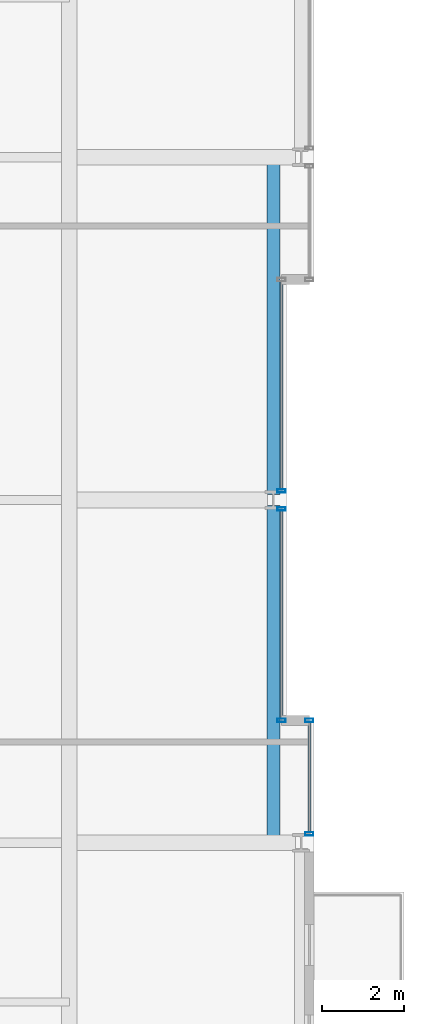
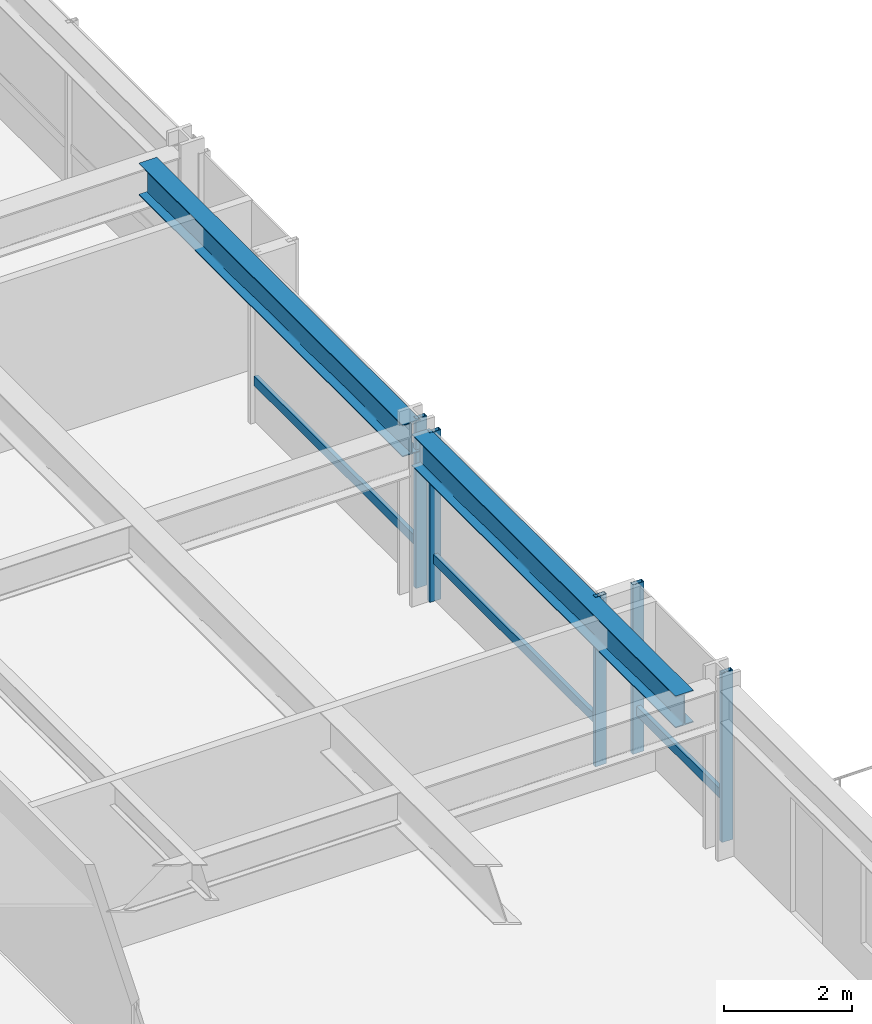
# One storey, part 15 of 34: 8 members, 2 beams, 3 elements without a shape of their own.
"""IFC4 building model written with IfcOpenShell, lengths in metres."""

from ifc_helpers import new_model, si_unit, direction, frame, origin, origin_2d, place, context, subcontext, project, spatial, hollow_rectangle, i_section, extrude, material, layer, layer_set, material_profile, profile_set, type_object, element, aggregate, save


model = new_model("IFC4")

# Units and contexts
model_context = context("Model", 3, precision=1e-05, world=origin(), true_north=direction((0.0, 1.0)))
body_context = subcontext(model_context, "Body", "Model", "MODEL_VIEW")
ifc_project = project(units=[si_unit("LENGTHUNIT", "METRE"), si_unit("AREAUNIT", "SQUARE_METRE"), si_unit("VOLUMEUNIT", "CUBIC_METRE"), si_unit("PLANEANGLEUNIT", "RADIAN"), si_unit("MASSUNIT", "GRAM", prefix="KILO")], contexts=[model_context])

# Site, building, storey
site_placement = place(None, origin())
site = spatial("IfcSite", under=ifc_project, at=site_placement, CompositionType="ELEMENT")
building_placement = place(site_placement, origin())
building = spatial("IfcBuilding", under=site, at=building_placement, Name="Drelvath Grand Hotel", CompositionType="ELEMENT")
storey_placement = place(building_placement, frame((0.0, 0.0, 112.800048828125)))
storey = spatial("IfcBuildingStorey", under=building, at=storey_placement, Name="L28", CompositionType="ELEMENT", Elevation=112.800048828125)

# Curtain wall, member
ifc_material_1 = material(Name="Champagne Bronze Anodised Aluminium Frame", Category="aluminium")
ifc_layer = layer(ifc_material_1, 0.199951171875)
ifc_layer_set = layer_set([ifc_layer], Name="Champagne Bronze Anodised Aluminium Frame")
curtain_wall_type = type_object("IfcCurtainWallType", Name="Stick Curtain Wall CW-03 Champagne Bronze Mid-Rise", PredefinedType="NOTDEFINED", material=ifc_layer_set)
curtain_wall_1_placement = place(storey_placement, origin())
curtain_wall_1 = element("IfcCurtainWall", 1, at=curtain_wall_1_placement, inside=storey, type_object=curtain_wall_type, Name="L28 CW-03 Curtain Wall CW03-L28-EM1", PredefinedType="NOTDEFINED")
ifc_material_profile_1 = material_profile(ifc_material_1, hollow_rectangle(XDim=0.074951171875, YDim=0.179931640625, WallThickness=0.0048828125, at=origin_2d()), Name="HSS180X75X5")
ifc_profile_set_1 = profile_set([ifc_material_profile_1], Name="Champagne Bronze Anodised Aluminium Frame")
member_type_1 = type_object("IfcMemberType", Name="Curtain Wall Horizontal Transom CW-03 HSS180X75X5", PredefinedType="USERDEFINED", material=ifc_profile_set_1)
member_1_placement = place(storey_placement, frame((21.39990234375, 26.740478515625, 0.81005859375), z_axis=(0.0, -1.0, 0.0), x_axis=(1.0, 0.0, 0.0)))
member_1 = element("IfcMember", 2, at=member_1_placement, type_object=member_type_1, Name="CW03-L28-EM1 Sill Transom", ObjectType="TRANSOM", PredefinedType="USERDEFINED", context=body_context, shape_type="SweptSolid", body=[
    extrude(hollow_rectangle(XDim=0.074951171875, YDim=0.179931640625, WallThickness=0.0048828125, at=origin_2d()), origin(), (0.0, 0.0, 1.0), 5.1005859375),
])

curtain_wall_2_placement = place(storey_placement, origin())
curtain_wall_2 = element("IfcCurtainWall", 3, at=curtain_wall_2_placement, inside=storey, type_object=curtain_wall_type, Name="L28 CW-03 Curtain Wall CW03-L28-EM2", PredefinedType="NOTDEFINED")
member_2_placement = place(storey_placement, frame((21.39990234375, 32.360107421875, 0.81005859375), z_axis=(0.0, -1.0, 0.0), x_axis=(1.0, 0.0, 0.0)))
member_2 = element("IfcMember", 4, at=member_2_placement, type_object=member_type_1, Name="CW03-L28-EM2 Sill Transom", ObjectType="TRANSOM", PredefinedType="USERDEFINED", context=body_context, shape_type="SweptSolid", body=[
    extrude(hollow_rectangle(XDim=0.074951171875, YDim=0.179931640625, WallThickness=0.0048828125, at=origin_2d()), origin(), (0.0, 0.0, 1.0), 5.1005859375),
])

curtain_wall_3_placement = place(storey_placement, origin())
curtain_wall_3 = element("IfcCurtainWall", 5, at=curtain_wall_3_placement, inside=storey, type_object=curtain_wall_type, Name="L28 CW-03 Curtain Wall CW03-L28-ES3", PredefinedType="NOTDEFINED")
member_3_placement = place(storey_placement, frame((22.080078125, 21.56005859375, 0.81005859375), z_axis=(0.0, -1.0, 0.0), x_axis=(1.0, 0.0, 0.0)))
member_3 = element("IfcMember", 6, at=member_3_placement, type_object=member_type_1, Name="CW03-L28-ES3 Sill Transom", ObjectType="TRANSOM", PredefinedType="USERDEFINED", context=body_context, shape_type="SweptSolid", body=[
    extrude(hollow_rectangle(XDim=0.074951171875, YDim=0.179931640625, WallThickness=0.0048828125, at=origin_2d()), origin(), (0.0, 0.0, 1.0), 2.700439453125),
])

# Member
ifc_material_profile_2 = material_profile(ifc_material_1, hollow_rectangle(XDim=0.080078125, YDim=0.199951171875, WallThickness=0.0048828125, at=origin_2d()), Name="HSS200X80X5")
ifc_profile_set_2 = profile_set([ifc_material_profile_2], Name="Champagne Bronze Anodised Aluminium Frame")
member_type_2 = type_object("IfcMemberType", Name="Curtain Wall Vertical Mullion CW-03 HSS200X80X5", PredefinedType="MULLION", material=ifc_profile_set_2)
member_4_placement = place(storey_placement, frame((21.39990234375, 26.780517578125, 0.0), z_axis=(0.0, 0.0, 1.0), x_axis=(0.0, 1.0, 0.0)))
member_4 = element("IfcMember", 7, at=member_4_placement, type_object=member_type_2, Name="CW03-L28-EM1 Mullion 1", PredefinedType="MULLION", context=body_context, shape_type="SweptSolid", body=[
    extrude(hollow_rectangle(XDim=0.080078125, YDim=0.199951171875, WallThickness=0.0048828125, at=origin_2d()), origin(), (0.0, 0.0, 1.0), 3.239990234375),
])

member_5_placement = place(storey_placement, frame((21.39990234375, 21.60009765625, 0.0), z_axis=(0.0, 0.0, 1.0), x_axis=(0.0, 1.0, 0.0)))
member_5 = element("IfcMember", 8, at=member_5_placement, type_object=member_type_2, Name="CW03-L28-EM1 Mullion 2", PredefinedType="MULLION", context=body_context, shape_type="SweptSolid", body=[
    extrude(hollow_rectangle(XDim=0.080078125, YDim=0.199951171875, WallThickness=0.0048828125, at=origin_2d()), origin(), (0.0, 0.0, 1.0), 3.239990234375),
])

aggregate(curtain_wall_1, [member_4, member_5, member_1])

member_6_placement = place(storey_placement, frame((21.39990234375, 27.219482421875, 0.0), z_axis=(0.0, 0.0, 1.0), x_axis=(0.0, 1.0, 0.0)))
member_6 = element("IfcMember", 9, at=member_6_placement, type_object=member_type_2, Name="CW03-L28-EM2 Mullion 2", PredefinedType="MULLION", context=body_context, shape_type="SweptSolid", body=[
    extrude(hollow_rectangle(XDim=0.080078125, YDim=0.199951171875, WallThickness=0.0048828125, at=origin_2d()), origin(), (0.0, 0.0, 1.0), 3.239990234375),
])

aggregate(curtain_wall_2, [member_6, member_2])

member_7_placement = place(storey_placement, frame((22.080078125, 21.60009765625, 0.0), z_axis=(0.0, 0.0, 1.0), x_axis=(0.0, 1.0, 0.0)))
member_7 = element("IfcMember", 10, at=member_7_placement, type_object=member_type_2, Name="CW03-L28-ES3 Mullion 1", PredefinedType="MULLION", context=body_context, shape_type="SweptSolid", body=[
    extrude(hollow_rectangle(XDim=0.080078125, YDim=0.199951171875, WallThickness=0.0048828125, at=origin_2d()), origin(), (0.0, 0.0, 1.0), 3.239990234375),
])

member_8_placement = place(storey_placement, frame((22.080078125, 18.819580078125, 0.0), z_axis=(0.0, 0.0, 1.0), x_axis=(0.0, 1.0, 0.0)))
member_8 = element("IfcMember", 11, at=member_8_placement, type_object=member_type_2, Name="CW03-L28-ES3 Mullion 2", PredefinedType="MULLION", context=body_context, shape_type="SweptSolid", body=[
    extrude(hollow_rectangle(XDim=0.080078125, YDim=0.199951171875, WallThickness=0.0048828125, at=origin_2d()), origin(), (0.0, 0.0, 1.0), 3.239990234375),
])

aggregate(curtain_wall_3, [member_7, member_8, member_3])

# Beams
ifc_material_2 = material(Name="Steel ASTM A992 Gr 50", Category="steel")
ifc_material_profile_3 = material_profile(ifc_material_2, i_section(OverallWidth=0.323974609375, OverallDepth=0.611083984375, WebThickness=0.0126953125, FlangeThickness=0.01904296875, FilletRadius=0.02197265625, at=origin_2d()), Name="W24X104")
ifc_profile_set_3 = profile_set([ifc_material_profile_3], Name="Steel ASTM A992 Gr 50")
beam_type = type_object("IfcBeamType", Name="Perimeter Spandrel Beam W24X104", PredefinedType="SPANDREL", material=ifc_profile_set_3)
for number, where, z_axis, x_axis, name in (
    (12, (21.199951171875, 18.60009765625, 2.9345703125), (0.0, 1.0, 0.0), (-1.0, 0.0, 0.0), "L28 Spandrel East Mid S"),
    (13, (21.199951171875, 27.139892578125, 2.9345703125), (0.0, 1.0, 0.0), (-1.0, 0.0, 0.0), "L28 Spandrel East Mid N"),
):
    element("IfcBeam", number, at=place(storey_placement, frame(where, z_axis=z_axis, x_axis=x_axis)), inside=storey, type_object=beam_type, Name=name, PredefinedType="SPANDREL", context=body_context, shape_type="SweptSolid", body=[
        extrude(i_section(OverallWidth=0.323974609375, OverallDepth=0.611083984375, WebThickness=0.0126953125, FlangeThickness=0.01904296875, FilletRadius=0.02197265625, at=origin_2d()), origin(), (0.0, 0.0, 1.0), 8.260009765625),
    ])

save(model, "model.ifc")
